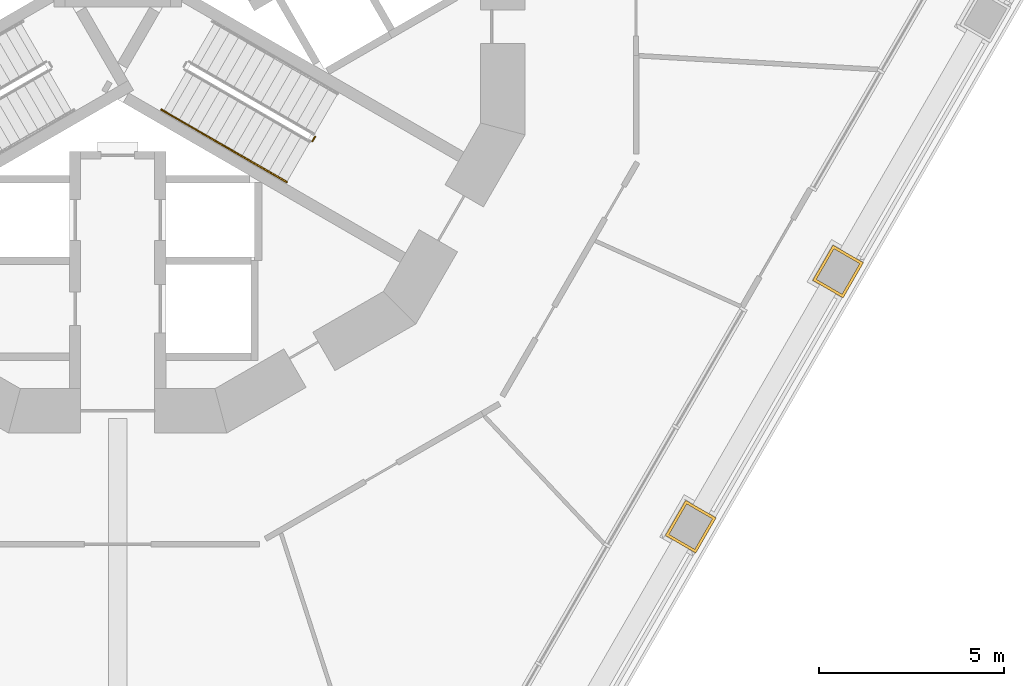
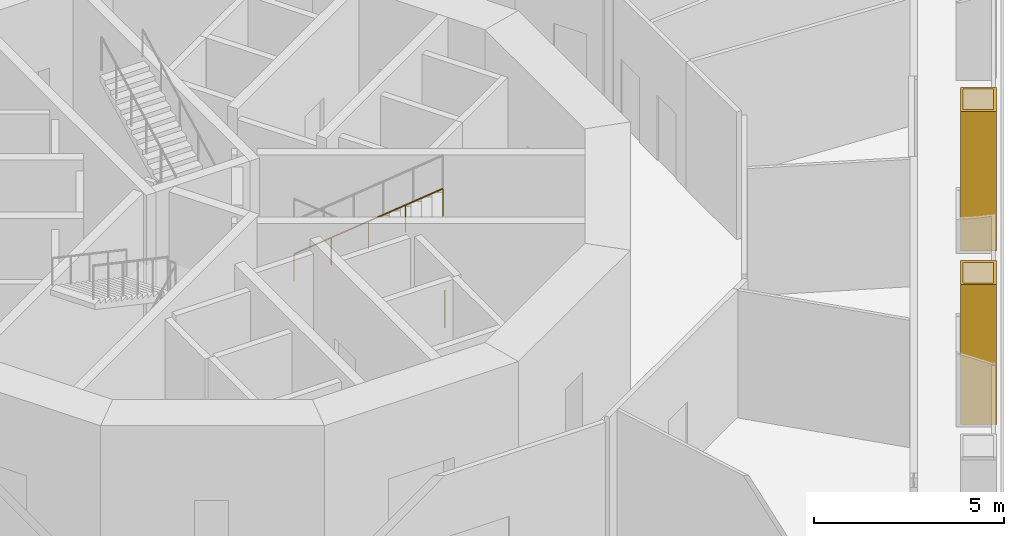
# One storey, part 17 of 21: 3 railings, 2 coverings.
"""IFC4 building model written with IfcOpenShell, lengths in metres."""

from ifc_helpers import new_model, si_unit, direction, frame, origin, origin_2d, place, context, subcontext, project, spatial, polyline, circle, outline, extrude, material, layer, layer_set, type_object, element, save


model = new_model("IFC4")

# Units and contexts
model_context = context("Model", 3, precision=1e-05, world=origin(), true_north=direction((0.0, 1.0)))
body_context = subcontext(model_context, "Body", "Model", "MODEL_VIEW")
ifc_project = project(units=[si_unit("LENGTHUNIT", "METRE"), si_unit("AREAUNIT", "SQUARE_METRE"), si_unit("VOLUMEUNIT", "CUBIC_METRE"), si_unit("PLANEANGLEUNIT", "RADIAN"), si_unit("MASSUNIT", "GRAM", prefix="KILO")], contexts=[model_context])

# Site, building, storey
site_placement = place(None, origin())
site = spatial("IfcSite", under=ifc_project, at=site_placement, CompositionType="ELEMENT")
building_placement = place(site_placement, origin())
building = spatial("IfcBuilding", under=site, at=building_placement, Name="Trine Commons Tower", CompositionType="ELEMENT")
storey_placement = place(building_placement, frame((0.0, 0.0, 13.5)))
storey = spatial("IfcBuildingStorey", under=building, at=storey_placement, Name="L02", CompositionType="ELEMENT", Elevation=13.5)

# Coverings
ifc_material_1 = material(Name="Limestone, honed", Category="masonry")
ifc_layer = layer(ifc_material_1, 0.074951171875)
ifc_layer_set = layer_set([ifc_layer], Name="Limestone, honed")
covering_type = type_object("IfcCoveringType", Name="Limestone column cladding 75", PredefinedType="CLADDING", material=ifc_layer_set)
covering_1_placement = place(storey_placement, origin())
element("IfcCovering", 1, at=covering_1_placement, inside=storey, type_object=covering_type, Name="Limestone pier cladding 1-20", PredefinedType="CLADDING", context=body_context, shape_type="SweptSolid", body=[
    extrude(outline(polyline([(100.15771484375, 56.0947265625), (99.334716796875, 56.569580078125), (98.784912109375, 55.6171875), (99.607666015625, 55.14208984375), (100.15771484375, 56.0947265625)]), holes=[polyline([(100.05517578125, 56.0673828125), (99.3623046875, 56.46728515625), (98.88720703125, 55.64453125), (99.580078125, 55.244384765625), (100.05517578125, 56.0673828125)])]), origin(), (0.0, 0.0, 1.0), 4.5),
])
covering_2_placement = place(storey_placement, origin())
element("IfcCovering", 2, at=covering_2_placement, inside=storey, type_object=covering_type, Name="Limestone pier cladding 1-21", PredefinedType="CLADDING", context=body_context, shape_type="SweptSolid", body=[
    extrude(outline(polyline([(96.17578125, 49.1982421875), (95.35302734375, 49.67333984375), (94.802978515625, 48.720703125), (95.6259765625, 48.24560546875), (96.17578125, 49.1982421875)]), holes=[polyline([(96.073486328125, 49.1708984375), (95.380615234375, 49.57080078125), (94.905517578125, 48.748046875), (95.598388671875, 48.34814453125), (96.073486328125, 49.1708984375)])]), origin(), (0.0, 0.0, 1.0), 4.5),
])

# Railings
ifc_material_2 = material(Name="Stainless steel balustrade", Category="steel")
railing_type_1 = type_object("IfcRailingType", Name="Stair guard, steel balustrade 1100", PredefinedType="GUARDRAIL", material=ifc_material_2)
railing_1_placement = place(storey_placement, frame((85.338134765625, 59.504638671875, 0.0)))
element("IfcRailing", 3, at=railing_1_placement, inside=storey, type_object=railing_type_1, Name="L02 ST3A stair guard 4", PredefinedType="GUARDRAIL", context=body_context, shape_type="SweptSolid", body=[
    extrude(circle(Radius=0.02392578125, at=origin_2d()), frame((0.0, 0.0, 1.076171875), z_axis=(-0.499816412211, -0.866131372301, 0.0), x_axis=(0.866131372301, -0.499816412211, 0.0)), (0.0, 0.0, 1.0), 0.14990234375),
    extrude(circle(Radius=0.02099609375, at=origin_2d()), origin(), (0.0, 0.0, 1.0), 1.052001953125),
    extrude(circle(Radius=0.02099609375, at=origin_2d()), frame((-0.074951171875, -0.1298828125, 0.0)), (0.0, 0.0, 1.0), 1.052001953125),
])
ifc_material_3 = material(Name="Stainless steel handrail", Category="steel")
railing_type_2 = type_object("IfcRailingType", Name="Stair handrail, steel 900", PredefinedType="HANDRAIL", material=ifc_material_3)
railing_2_placement = place(storey_placement, frame((81.175048828125, 60.23388671875, 2.39990234375)))
element("IfcRailing", 4, at=railing_2_placement, inside=storey, type_object=railing_type_2, Name="L02 ST3A stair handrail 3", PredefinedType="HANDRAIL", context=body_context, shape_type="SweptSolid", body=[
    extrude(circle(Radius=0.02099609375, at=origin_2d()), frame((0.0, 0.0, 0.87890625), z_axis=(0.763352030933, -0.440750151347, 0.472263677365), x_axis=(0.500024377727, 0.866011328839, 0.0)), (0.0, 0.0, 1.0), 2.223388671875),
    extrude(circle(Radius=0.01513671875, at=origin_2d()), origin(), (0.0, 0.0, 1.0), 0.85791015625),
    extrude(circle(Radius=0.01513671875, at=origin_2d()), frame((0.8486328125, -0.489990234375, 0.52490234375)), (0.0, 0.0, 1.0), 0.85791015625),
    extrude(circle(Radius=0.01513671875, at=origin_2d()), frame((1.697265625, -0.97998046875, 1.050048828125)), (0.0, 0.0, 1.0), 0.85791015625),
])
railing_3_placement = place(storey_placement, frame((82.872314453125, 59.25390625, 3.449951171875)))
element("IfcRailing", 5, at=railing_3_placement, inside=storey, type_object=railing_type_2, Name="L02 ST3A stair handrail 4", PredefinedType="HANDRAIL", context=body_context, shape_type="SweptSolid", body=[
    extrude(circle(Radius=0.02099609375, at=origin_2d()), frame((0.0, 0.0, 0.87890625), z_axis=(0.763397845365, -0.440713210311, 0.472224095054), x_axis=(0.499970440388, 0.866042469362, 0.0)), (0.0, 0.0, 1.0), 2.2236328125),
    extrude(circle(Radius=0.01513671875, at=origin_2d()), origin(), (0.0, 0.0, 1.0), 0.85791015625),
    extrude(circle(Radius=0.01513671875, at=origin_2d()), frame((0.8486328125, -0.489990234375, 0.52490234375)), (0.0, 0.0, 1.0), 0.85791015625),
    extrude(circle(Radius=0.01513671875, at=origin_2d()), frame((1.697509765625, -0.97998046875, 1.050048828125)), (0.0, 0.0, 1.0), 0.85791015625),
])

save(model, "model.ifc")
